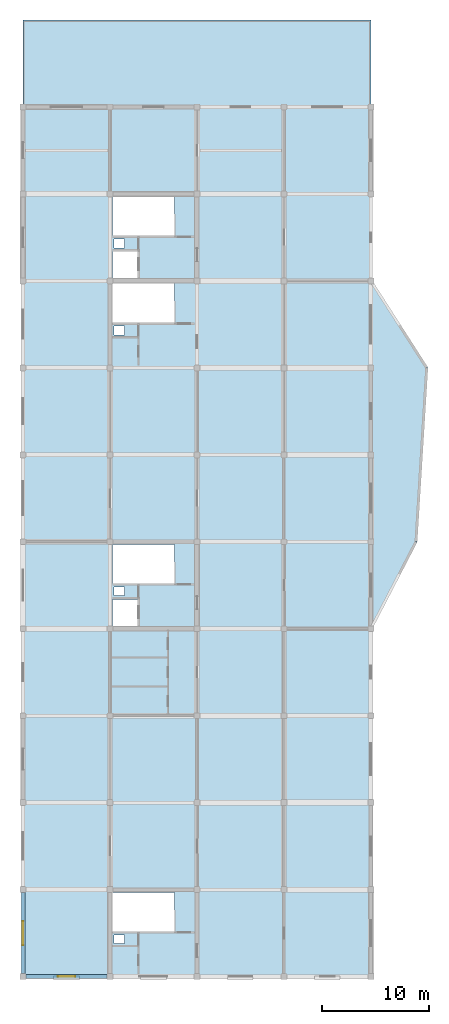
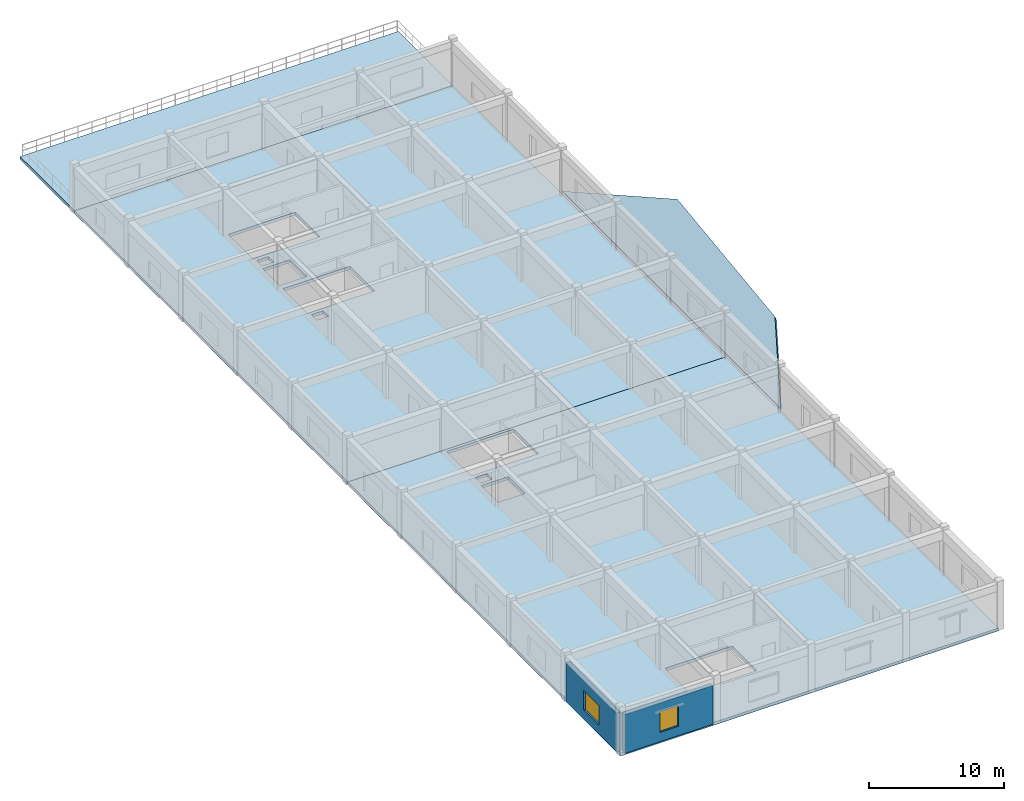
# One storey, part 2 of 7: 4 slabs, 2 walls, 2 windows, 2 openings.
"""IFC4 building model written with IfcOpenShell, lengths in metres."""

from ifc_helpers import new_model, si_unit, direction, frame, frame_2d, origin, place, context, subcontext, project, spatial, polyline, rectangle, outline, extrude, material, layer, layer_set, type_object, element, fill, save


model = new_model("IFC4")

# Units and contexts
model_context = context("Model", 3, precision=1e-05, world=origin(), true_north=direction((0.0, 1.0)))
body_context = subcontext(model_context, "Body", "Model", "MODEL_VIEW")
ifc_project = project(units=[si_unit("LENGTHUNIT", "METRE"), si_unit("AREAUNIT", "SQUARE_METRE"), si_unit("VOLUMEUNIT", "CUBIC_METRE"), si_unit("PLANEANGLEUNIT", "RADIAN"), si_unit("MASSUNIT", "GRAM", prefix="KILO")], contexts=[model_context])

# Site, building, storey
site_placement = place(None, origin())
site = spatial("IfcSite", under=ifc_project, at=site_placement, CompositionType="ELEMENT")
building_placement = place(site_placement, origin())
building = spatial("IfcBuilding", under=site, at=building_placement, Name="Vaudrelin Polytechnic", CompositionType="ELEMENT")
storey_placement = place(building_placement, frame((0.0, 0.0, 31.7900390625)))
storey = spatial("IfcBuildingStorey", under=building, at=storey_placement, Name="L07", CompositionType="ELEMENT", Elevation=31.7900390625)

# Slabs
ifc_material_1 = material(Name="Concrete 35 MPa", Category="concrete")
ifc_layer_1 = layer(ifc_material_1, 0.260009765625)
ifc_layer_set_1 = layer_set([ifc_layer_1], Name="Concrete 35 MPa")
slab_type_1 = type_object("IfcSlabType", Name="SLB-SL-F260", PredefinedType="FLOOR", material=ifc_layer_set_1)
slab_1_placement = place(storey_placement, frame((0.0, 0.0, -0.260009765625)))
element("IfcSlab", 1, at=slab_1_placement, inside=storey, type_object=slab_type_1, Name="L07 floor slab V4-S", PredefinedType="FLOOR", context=body_context, shape_type="SweptSolid", body=[
    extrude(outline(polyline([(137.699951171875, 32.39990234375), (170.10009765625, 32.39990234375), (170.10009765625, 72.89990234375), (137.699951171875, 72.89990234375), (137.699951171875, 32.39990234375)]), holes=[polyline([(146.050048828125, 69.010009765625), (151.800048828125, 69.010009765625), (151.800048828125, 72.64990234375), (146.050048828125, 72.64990234375), (146.050048828125, 69.010009765625)]), polyline([(146.050048828125, 65.050048828125), (148.3798828125, 65.050048828125), (148.3798828125, 67.530029296875), (146.050048828125, 67.530029296875), (146.050048828125, 65.050048828125)]), polyline([(146.179931640625, 67.8798828125), (147.179931640625, 67.8798828125), (147.179931640625, 68.679931640625), (146.179931640625, 68.679931640625), (146.179931640625, 67.8798828125)]), polyline([(146.050048828125, 36.610107421875), (151.800048828125, 36.610107421875), (151.800048828125, 40.25), (146.050048828125, 40.25), (146.050048828125, 36.610107421875)]), polyline([(146.179931640625, 35.47998046875), (147.179931640625, 35.47998046875), (147.179931640625, 36.280029296875), (146.179931640625, 36.280029296875), (146.179931640625, 35.47998046875)])]), origin(), (0.0, 0.0, 1.0), 0.260009765625),
])
slab_2_placement = place(storey_placement, frame((0.0, 0.0, -0.260009765625)))
element("IfcSlab", 2, at=slab_2_placement, inside=storey, type_object=slab_type_1, Name="L07 floor slab V4-N", PredefinedType="FLOOR", context=body_context, shape_type="SweptSolid", body=[
    extrude(outline(polyline([(137.699951171875, 72.89990234375), (170.10009765625, 72.89990234375), (170.10009765625, 113.39990234375), (137.699951171875, 113.39990234375), (137.699951171875, 72.89990234375)]), holes=[polyline([(146.050048828125, 101.409912109375), (151.800048828125, 101.409912109375), (151.800048828125, 105.050048828125), (146.050048828125, 105.050048828125), (146.050048828125, 101.409912109375)]), polyline([(146.050048828125, 97.449951171875), (148.3798828125, 97.449951171875), (148.3798828125, 99.929931640625), (146.050048828125, 99.929931640625), (146.050048828125, 97.449951171875)]), polyline([(146.179931640625, 100.280029296875), (147.179931640625, 100.280029296875), (147.179931640625, 101.080078125), (146.179931640625, 101.080078125), (146.179931640625, 100.280029296875)]), polyline([(146.050048828125, 93.31005859375), (151.800048828125, 93.31005859375), (151.800048828125, 96.949951171875), (146.050048828125, 96.949951171875), (146.050048828125, 93.31005859375)]), polyline([(146.179931640625, 92.179931640625), (147.179931640625, 92.179931640625), (147.179931640625, 92.97998046875), (146.179931640625, 92.97998046875), (146.179931640625, 92.179931640625)])]), origin(), (0.0, 0.0, 1.0), 0.260009765625),
])
ifc_layer_2 = layer(ifc_material_1, 0.2451171875)
ifc_layer_set_2 = layer_set([ifc_layer_2], Name="Concrete 35 MPa")
slab_type_2 = type_object("IfcSlabType", Name="SLB-SL-RF245", PredefinedType="ROOF", material=ifc_layer_set_2)
slab_3_placement = place(storey_placement, frame((170.10009765625, 64.800048828125, 0.260009765625), z_axis=(-0.411802956743, -1.06769e-07, 0.911272914564), x_axis=(0.450672037614, 0.869147896493, 0.203658165894)))
element("IfcSlab", 3, at=slab_3_placement, inside=storey, type_object=slab_type_2, Name="Deconstructivist raked pod roof E_OR2", PredefinedType="ROOF", context=body_context, shape_type="SweptSolid", body=[
    extrude(outline(polyline([(0.0, 0.0), (9.31930405436257, 2.220446049250313e-16), (23.942375770867113, 7.05806766974035), (28.16030696863752, 16.02344480180932), (0.0, 0.0)])), origin(), (0.0, 0.0, -1.0), 0.2451171875),
])
ifc_layer_3 = layer(ifc_material_1, 0.25)
ifc_layer_set_3 = layer_set([ifc_layer_3], Name="Concrete 35 MPa")
slab_type_3 = type_object("IfcSlabType", Name="SLB-SL-TER250", PredefinedType="FLOOR", material=ifc_layer_set_3)
slab_4_placement = place(storey_placement, frame((0.0, 0.0, -0.25)))
element("IfcSlab", 4, at=slab_4_placement, inside=storey, type_object=slab_type_3, Name="L07 terrace slab V4-TER", PredefinedType="FLOOR", context=body_context, shape_type="SweptSolid", body=[
    extrude(outline(polyline([(137.699951171875, 113.39990234375), (170.10009765625, 113.39990234375), (170.10009765625, 121.5), (137.699951171875, 121.5), (137.699951171875, 113.39990234375)])), origin(), (0.0, 0.0, 1.0), 0.25),
])

# Wall, opening, window
ifc_material_2 = material(Name="Precast concrete 35 MPa with terracotta baguette screen", Category="masonry")
ifc_layer_4 = layer(ifc_material_2, 0.35009765625)
ifc_layer_set_4 = layer_set([ifc_layer_4], Name="Precast concrete 35 MPa with terracotta baguette screen")
wall_type = type_object("IfcWallType", Name="WAL-EW-TERR350", PredefinedType="STANDARD", material=ifc_layer_set_4)
wall_1_placement = place(storey_placement, frame((137.972900390625, 32.39990234375, 0.0), z_axis=(0.0, 0.0, 1.0), x_axis=(1.0, 0.0, 0.0)))
wall_1 = element("IfcWall", 5, at=wall_1_placement, inside=storey, type_object=wall_type, Name="Exterior wall L07 S_V4_00", PredefinedType="STANDARD", context=body_context, shape_type="SweptSolid", body=[
    extrude(rectangle(XDim=7.55419921875, YDim=0.35009765625, at=frame_2d((3.777099609375, 0.0))), origin(), (0.0, 0.0, 1.0), 3.511962890625),
])
opening_1_placement = place(wall_1_placement, frame((2.97705078125, 0.0, 0.85009765625)))
opening_1 = element("IfcOpeningElement", 6, at=opening_1_placement, cuts=wall_1, Name="Opening W-L07-S-V4-01", PredefinedType="OPENING", context=body_context, shape_type="SweptSolid", body=[
    extrude(rectangle(XDim=1.60009765625, YDim=1.85009765625, at=frame_2d((0.800048828125, 0.925048828125))), frame((0.0, 0.18505859375, 0.0), z_axis=(0.0, -1.0, 0.0), x_axis=(1.0, 0.0, 0.0)), (0.0, 0.0, 1.0), 0.3701171875),
])
ifc_material_3 = material(Name="Thermally broken aluminium frame with triple low-e glazing", Category="aluminium")
window_type_1 = type_object("IfcWindowType", Name="WIN-WN-11", PartitioningType="SINGLE_PANEL", PredefinedType="WINDOW", material=ifc_material_3)
window_1_placement = place(opening_1_placement, origin())
window_1 = element("IfcWindow", 7, at=window_1_placement, inside=storey, type_object=window_type_1, Name="Facade window L07-S_V4_00", OverallHeight=1.85009765625, OverallWidth=1.60009765625, PartitioningType="SINGLE_PANEL", PredefinedType="WINDOW", context=body_context, shape_type="SweptSolid", body=[
    extrude(rectangle(XDim=1.60009765625, YDim=1.85009765625, at=frame_2d((0.800048828125, 0.925048828125))), frame((0.0, 0.030029296875, 0.0), z_axis=(0.0, -1.0, 0.0), x_axis=(1.0, 0.0, 0.0)), (0.0, 0.0, 1.0), 0.06005859375),
])
fill(opening_1, window_1)

wall_2_placement = place(storey_placement, frame((137.699951171875, 32.673095703125, 0.0), z_axis=(0.0, 0.0, 1.0), x_axis=(0.0, 1.0, 0.0)))
wall_2 = element("IfcWall", 8, at=wall_2_placement, inside=storey, type_object=wall_type, Name="Exterior wall L07 W_V4_00", PredefinedType="STANDARD", context=body_context, shape_type="SweptSolid", body=[
    extrude(rectangle(XDim=7.553955078125, YDim=0.35009765625, at=frame_2d((3.77685546875, 0.0))), origin(), (0.0, 0.0, 1.0), 3.511962890625),
])
opening_2_placement = place(wall_2_placement, frame((2.652099609375, 0.0, 0.85009765625)))
opening_2 = element("IfcOpeningElement", 9, at=opening_2_placement, cuts=wall_2, Name="Opening W-L07-W-V4-01", PredefinedType="OPENING", context=body_context, shape_type="SweptSolid", body=[
    extrude(rectangle(XDim=2.25, YDim=1.75, at=frame_2d((1.125, 0.875))), frame((0.0, 0.18505859375, 0.0), z_axis=(0.0, -1.0, 0.0), x_axis=(1.0, 0.0, 0.0)), (0.0, 0.0, 1.0), 0.3701171875),
])
window_type_2 = type_object("IfcWindowType", Name="WIN-WN-15", PartitioningType="SINGLE_PANEL", PredefinedType="WINDOW", material=ifc_material_3)
window_2_placement = place(opening_2_placement, origin())
window_2 = element("IfcWindow", 10, at=window_2_placement, inside=storey, type_object=window_type_2, Name="Facade window L07-W_V4_00", OverallHeight=1.75, OverallWidth=2.25, PartitioningType="SINGLE_PANEL", PredefinedType="WINDOW", context=body_context, shape_type="SweptSolid", body=[
    extrude(rectangle(XDim=2.25, YDim=1.75, at=frame_2d((1.125, 0.875))), frame((0.0, 0.030029296875, 0.0), z_axis=(0.0, -1.0, 0.0), x_axis=(1.0, 0.0, 0.0)), (0.0, 0.0, 1.0), 0.06005859375),
])
fill(opening_2, window_2)

save(model, "model.ifc")
